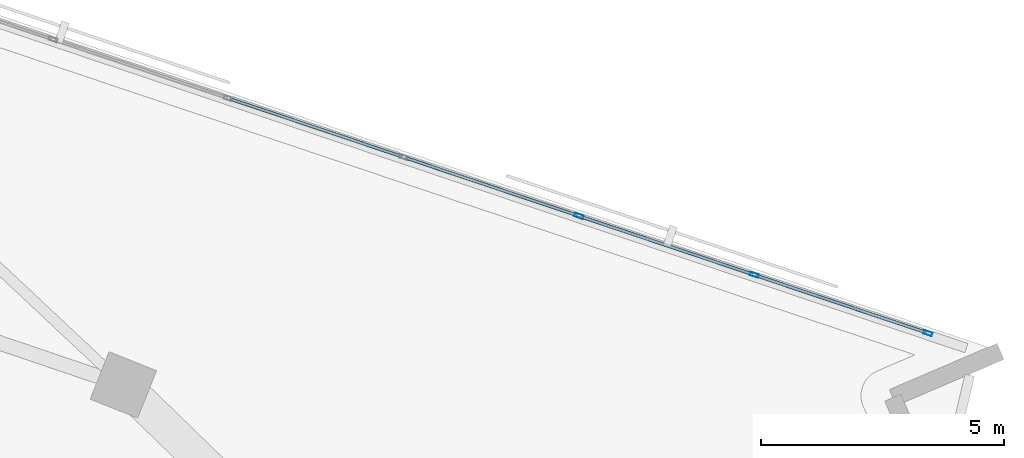
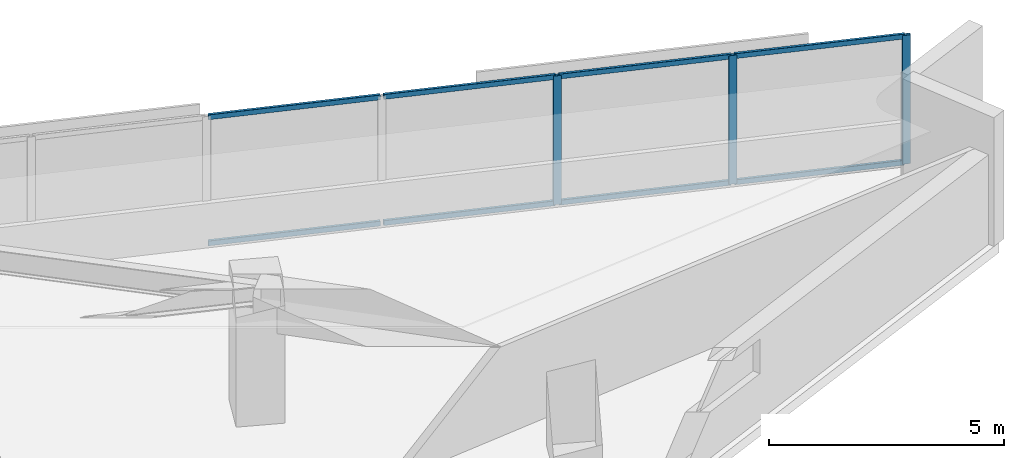
# One storey, part 5 of 13: 11 members, 1 element without a shape of its own.
"""IFC4 building model written with IfcOpenShell, lengths in metres."""

from ifc_helpers import new_model, si_unit, direction, frame, origin, origin_2d, place, context, subcontext, project, spatial, hollow_rectangle, extrude, material, material_profile, profile_set, type_object, element, aggregate, save


model = new_model("IFC4")

# Units and contexts
model_context = context("Model", 3, precision=1e-05, world=origin(), true_north=direction((0.0, 1.0)))
body_context = subcontext(model_context, "Body", "Model", "MODEL_VIEW")
ifc_project = project(units=[si_unit("LENGTHUNIT", "METRE"), si_unit("AREAUNIT", "SQUARE_METRE"), si_unit("VOLUMEUNIT", "CUBIC_METRE"), si_unit("PLANEANGLEUNIT", "RADIAN"), si_unit("MASSUNIT", "GRAM", prefix="KILO")], contexts=[model_context])

# Site, building, storey
site_placement = place(None, origin())
site = spatial("IfcSite", under=ifc_project, at=site_placement, CompositionType="ELEMENT")
building_placement = place(site_placement, origin())
building = spatial("IfcBuilding", under=site, at=building_placement, Name="Narakoshi Arena Tower", CompositionType="ELEMENT")
storey_placement = place(building_placement, frame((0.0, 0.0, 171.89990234375)))
storey = spatial("IfcBuildingStorey", under=building, at=storey_placement, Name="L46", CompositionType="ELEMENT", Elevation=171.89990234375)

# Curtain wall, members
ifc_material = material(Name="Anodised bronze aluminium 6063-T6", Category="aluminium")
curtain_wall_type = type_object("IfcCurtainWallType", Name="CW-HYP-MID", PredefinedType="NOTDEFINED", material=ifc_material)
curtain_wall_placement = place(storey_placement, origin())
curtain_wall = element("IfcCurtainWall", 1, at=curtain_wall_placement, inside=storey, type_object=curtain_wall_type, Name="L46 Folded Hypotenuse Curtain Wall 1-1", PredefinedType="NOTDEFINED")
ifc_material_profile_1 = material_profile(ifc_material, hollow_rectangle(XDim=0.074951171875, YDim=0.179931640625, WallThickness=0.00390625, OuterFilletRadius=0.0048828125, at=origin_2d()), Name="MUL180x75x4")
ifc_profile_set_1 = profile_set([ifc_material_profile_1], Name="Anodised bronze aluminium 6063-T6")
member_type_1 = type_object("IfcMemberType", Name="MEM-MUL-180", PredefinedType="MULLION", material=ifc_profile_set_1)
member_1_placement = place(storey_placement, frame((116.57080078125, 52.6513671875, 0.0), z_axis=(0.0, 0.0, 1.0), x_axis=(-0.318260960253, -0.948003144077, 0.0)))
member_1 = element("IfcMember", 2, at=member_1_placement, type_object=member_type_1, Name="CW-02 mullion 1", PredefinedType="MULLION", context=body_context, shape_type="SweptSolid", body=[
    extrude(hollow_rectangle(XDim=0.074951171875, YDim=0.179931640625, WallThickness=0.00390625, OuterFilletRadius=0.0048828125, at=origin_2d()), origin(), (0.0, 0.0, 1.0), 3.340087890625),
])
member_2_placement = place(storey_placement, frame((112.998779296875, 53.8505859375, 0.0), z_axis=(0.0, 0.0, 1.0), x_axis=(-0.318260960253, -0.948003144077, 0.0)))
member_2 = element("IfcMember", 3, at=member_2_placement, type_object=member_type_1, Name="CW-02 mullion 2", PredefinedType="MULLION", context=body_context, shape_type="SweptSolid", body=[
    extrude(hollow_rectangle(XDim=0.074951171875, YDim=0.179931640625, WallThickness=0.00390625, OuterFilletRadius=0.0048828125, at=origin_2d()), origin(), (0.0, 0.0, 1.0), 3.340087890625),
])
member_3_placement = place(storey_placement, frame((109.39111328125, 55.061767578125, 0.0), z_axis=(0.0, 0.0, 1.0), x_axis=(-0.318260960253, -0.948003144077, 0.0)))
member_3 = element("IfcMember", 4, at=member_3_placement, type_object=member_type_1, Name="CW-02 mullion 3", PredefinedType="MULLION", context=body_context, shape_type="SweptSolid", body=[
    extrude(hollow_rectangle(XDim=0.074951171875, YDim=0.179931640625, WallThickness=0.00390625, OuterFilletRadius=0.0048828125, at=origin_2d()), origin(), (0.0, 0.0, 1.0), 3.340087890625),
])
ifc_material_profile_2 = material_profile(ifc_material, hollow_rectangle(XDim=0.06494140625, YDim=0.1298828125, WallThickness=0.00390625, OuterFilletRadius=0.0048828125, at=origin_2d()), Name="TRN130x65x4")
ifc_profile_set_2 = profile_set([ifc_material_profile_2], Name="Anodised bronze aluminium 6063-T6")
member_type_2 = type_object("IfcMemberType", Name="MEM-TRN-130", PredefinedType="USERDEFINED", material=ifc_profile_set_2)
member_4_placement = place(storey_placement, frame((116.53515625, 52.663330078125, 0.03271484375), z_axis=(-0.948006826737, 0.31824999051, 0.0), x_axis=(-0.31824999051, -0.948006826737, 0.0)))
member_4 = element("IfcMember", 5, at=member_4_placement, type_object=member_type_2, Name="CW-02 transom 1.1", ObjectType="TRANSOM", PredefinedType="USERDEFINED", context=body_context, shape_type="SweptSolid", body=[
    extrude(hollow_rectangle(XDim=0.06494140625, YDim=0.1298828125, WallThickness=0.00390625, OuterFilletRadius=0.0048828125, at=origin_2d()), origin(), (0.0, 0.0, 1.0), 3.69287109375),
])
member_5_placement = place(storey_placement, frame((116.53515625, 52.663330078125, 3.3076171875), z_axis=(-0.948006826737, 0.31824999051, 0.0), x_axis=(-0.31824999051, -0.948006826737, 0.0)))
member_5 = element("IfcMember", 6, at=member_5_placement, type_object=member_type_2, Name="CW-02 transom 1.2", ObjectType="TRANSOM", PredefinedType="USERDEFINED", context=body_context, shape_type="SweptSolid", body=[
    extrude(hollow_rectangle(XDim=0.06494140625, YDim=0.1298828125, WallThickness=0.00390625, OuterFilletRadius=0.0048828125, at=origin_2d()), origin(), (0.0, 0.0, 1.0), 3.69287109375),
])
member_6_placement = place(storey_placement, frame((112.963134765625, 53.862548828125, 0.03271484375), z_axis=(-0.948000451231, 0.318268981314, 0.0), x_axis=(-0.318268981314, -0.948000451231, 0.0)))
member_6 = element("IfcMember", 7, at=member_6_placement, type_object=member_type_2, Name="CW-02 transom 2.1", ObjectType="TRANSOM", PredefinedType="USERDEFINED", context=body_context, shape_type="SweptSolid", body=[
    extrude(hollow_rectangle(XDim=0.06494140625, YDim=0.1298828125, WallThickness=0.00390625, OuterFilletRadius=0.0048828125, at=origin_2d()), origin(), (0.0, 0.0, 1.0), 3.73046875),
])
member_7_placement = place(storey_placement, frame((112.963134765625, 53.862548828125, 3.3076171875), z_axis=(-0.948000451231, 0.318268981314, 0.0), x_axis=(-0.318268981314, -0.948000451231, 0.0)))
member_7 = element("IfcMember", 8, at=member_7_placement, type_object=member_type_2, Name="CW-02 transom 2.2", ObjectType="TRANSOM", PredefinedType="USERDEFINED", context=body_context, shape_type="SweptSolid", body=[
    extrude(hollow_rectangle(XDim=0.06494140625, YDim=0.1298828125, WallThickness=0.00390625, OuterFilletRadius=0.0048828125, at=origin_2d()), origin(), (0.0, 0.0, 1.0), 3.73046875),
])
member_8_placement = place(storey_placement, frame((109.35546875, 55.073486328125, 0.03271484375), z_axis=(-0.948000451231, 0.318268981314, 0.0), x_axis=(-0.318268981314, -0.948000451231, 0.0)))
member_8 = element("IfcMember", 9, at=member_8_placement, type_object=member_type_2, Name="CW-02 transom 3.1", ObjectType="TRANSOM", PredefinedType="USERDEFINED", context=body_context, shape_type="SweptSolid", body=[
    extrude(hollow_rectangle(XDim=0.06494140625, YDim=0.1298828125, WallThickness=0.00390625, OuterFilletRadius=0.0048828125, at=origin_2d()), origin(), (0.0, 0.0, 1.0), 3.73046875),
])
member_9_placement = place(storey_placement, frame((109.35546875, 55.073486328125, 3.3076171875), z_axis=(-0.948000451231, 0.318268981314, 0.0), x_axis=(-0.318268981314, -0.948000451231, 0.0)))
member_9 = element("IfcMember", 10, at=member_9_placement, type_object=member_type_2, Name="CW-02 transom 3.2", ObjectType="TRANSOM", PredefinedType="USERDEFINED", context=body_context, shape_type="SweptSolid", body=[
    extrude(hollow_rectangle(XDim=0.06494140625, YDim=0.1298828125, WallThickness=0.00390625, OuterFilletRadius=0.0048828125, at=origin_2d()), origin(), (0.0, 0.0, 1.0), 3.73046875),
])
member_10_placement = place(storey_placement, frame((105.748046875, 56.28466796875, 0.03271484375), z_axis=(-0.948007080082, 0.318249235844, 0.0), x_axis=(-0.318249235844, -0.948007080082, 0.0)))
member_10 = element("IfcMember", 11, at=member_10_placement, type_object=member_type_2, Name="CW-02 transom 4.1", ObjectType="TRANSOM", PredefinedType="USERDEFINED", context=body_context, shape_type="SweptSolid", body=[
    extrude(hollow_rectangle(XDim=0.06494140625, YDim=0.1298828125, WallThickness=0.00390625, OuterFilletRadius=0.0048828125, at=origin_2d()), origin(), (0.0, 0.0, 1.0), 3.73046875),
])
member_11_placement = place(storey_placement, frame((105.748046875, 56.28466796875, 3.3076171875), z_axis=(-0.948007080082, 0.318249235844, 0.0), x_axis=(-0.318249235844, -0.948007080082, 0.0)))
member_11 = element("IfcMember", 12, at=member_11_placement, type_object=member_type_2, Name="CW-02 transom 4.2", ObjectType="TRANSOM", PredefinedType="USERDEFINED", context=body_context, shape_type="SweptSolid", body=[
    extrude(hollow_rectangle(XDim=0.06494140625, YDim=0.1298828125, WallThickness=0.00390625, OuterFilletRadius=0.0048828125, at=origin_2d()), origin(), (0.0, 0.0, 1.0), 3.73046875),
])
aggregate(curtain_wall, [member_1, member_2, member_3, member_4, member_5, member_6, member_7, member_8, member_9, member_10, member_11])

save(model, "model.ifc")
